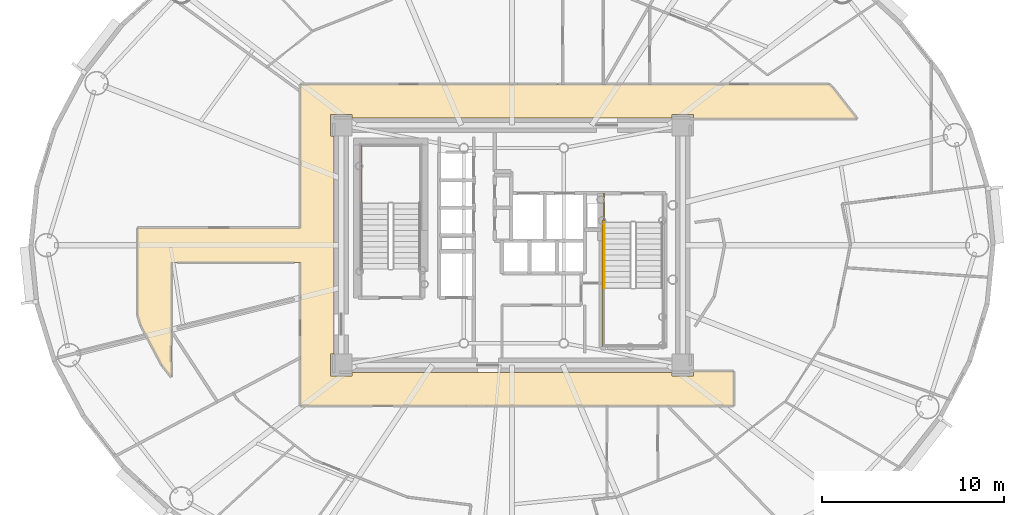
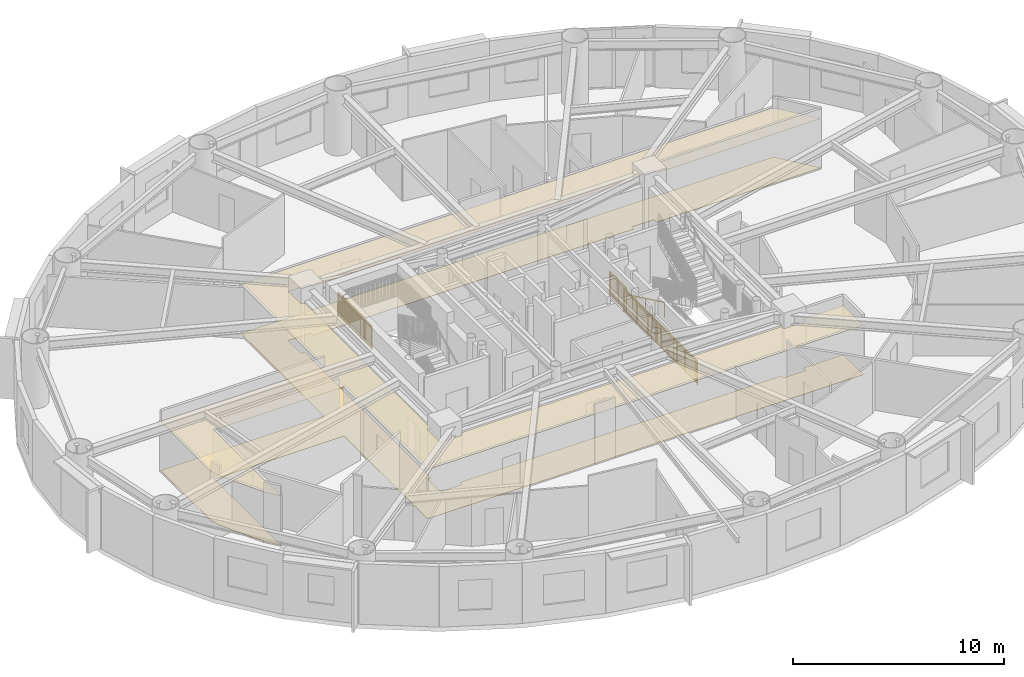
# One storey, part 14 of 17: 4 railings, 2 coverings.
"""IFC4 building model written with IfcOpenShell, lengths in metres."""

import ifcopenshell
import ifcopenshell.guid

model = None  # the IFC model being written
_history = None  # IfcOwnerHistory: only IFC2X3 demands one
_inside = {}  # id of a spatial element -> (the spatial element, [elements in it])
_under = {}  # id of a project, library or spatial element -> (it, [spatial elements below it])
_declared = {}  # id of a project -> (the project, [libraries it declares])
_typed = {}  # id of a type object -> (the type object, [elements of that type])
_made_of = {}  # id of a material, layer set ... -> (it, [elements and type objects made of it])


def new_model(schema):
    """Start an empty IFC model of exactly this schema.

    Asked for "IFC4X3", IfcOpenShell would pick the latest addendum, in which some entities
    have other attributes; the version numbers below select the first issue.
    IFC2X3 requires an IfcOwnerHistory on every rooted entity: one is made here for all.
    """
    global model, _history
    if schema == "IFC4X3":
        model = ifcopenshell.file(schema_version=(4, 3, 0, 0))
    else:
        model = ifcopenshell.file(schema=schema)
    _inside.clear()
    _under.clear()
    _declared.clear()
    _typed.clear()
    _made_of.clear()
    _history = None
    if model.schema == "IFC2X3":
        org = make("IfcOrganization", Name="unknown")
        user = make(
            "IfcPersonAndOrganization",
            ThePerson=make("IfcPerson", FamilyName="unknown"),
            TheOrganization=org,
        )
        app = make(
            "IfcApplication",
            ApplicationDeveloper=org,
            Version="unknown",
            ApplicationFullName="unknown",
            ApplicationIdentifier="unknown",
        )
        _history = make(
            "IfcOwnerHistory",
            OwningUser=user,
            OwningApplication=app,
            ChangeAction="ADDED",
            CreationDate=0,
        )
    return model


def make(cls, **values):
    """One entity of the class cls with the attributes given. An attribute that is None is left unset."""
    return model.create_entity(
        cls, **{name: value for name, value in values.items() if value is not None}
    )


def rooted(cls, **values):
    """An entity with a GlobalId (a new one), such as an element, a storey or a relation."""
    return make(cls, GlobalId=ifcopenshell.guid.new(), OwnerHistory=_history, **values)


def si_unit(unit_type, name, prefix=None):
    """IfcSIUnit, for example si_unit("LENGTHUNIT", "METRE", prefix="MILLI")."""
    return make("IfcSIUnit", UnitType=unit_type, Prefix=prefix, Name=name)


def assignment(units):
    """IfcUnitAssignment: the units of a project."""
    return None if units is None else make("IfcUnitAssignment", Units=units)


def point(xyz):
    """IfcCartesianPoint."""
    return None if xyz is None else make("IfcCartesianPoint", Coordinates=xyz)


def direction(xyz):
    """IfcDirection."""
    return None if xyz is None else make("IfcDirection", DirectionRatios=xyz)


def frame(location, z_axis=None, x_axis=None):
    """IfcAxis2Placement3D, a coordinate frame: its origin and axes. An axis left out is left unset."""
    return make(
        "IfcAxis2Placement3D",
        Location=point(location),
        Axis=direction(z_axis),
        RefDirection=direction(x_axis),
    )


def frame_2d(location, x_axis=None):
    """IfcAxis2Placement2D, a coordinate frame in the plane: its origin and x axis."""
    return make(
        "IfcAxis2Placement2D", Location=point(location), RefDirection=direction(x_axis)
    )


def origin():
    """The frame at (0, 0, 0) with its axes left unset."""
    return frame((0.0, 0.0, 0.0))


def origin_2d():
    """The frame at (0, 0) in the plane with its x axis left unset."""
    return frame_2d((0.0, 0.0))


def place(relative_to, where):
    """IfcLocalPlacement: puts the frame where relative to a parent placement (None: the world)."""
    return make(
        "IfcLocalPlacement", PlacementRelTo=relative_to, RelativePlacement=where
    )


def context(
    kind, dimensions, precision=None, world=None, true_north=None, identifier=None
):
    """IfcGeometricRepresentationContext, for example the 3D "Model" context."""
    return make(
        "IfcGeometricRepresentationContext",
        ContextIdentifier=identifier,
        ContextType=kind,
        CoordinateSpaceDimension=dimensions,
        Precision=precision,
        WorldCoordinateSystem=world,
        TrueNorth=true_north,
    )


def subcontext(parent, identifier, kind, view, scale=None):
    """IfcGeometricRepresentationSubContext, for example "Body" below "Model"."""
    return make(
        "IfcGeometricRepresentationSubContext",
        ContextIdentifier=identifier,
        ContextType=kind,
        ParentContext=parent,
        TargetScale=scale,
        TargetView=view,
    )


def project(units=None, contexts=None):
    """IfcProject with its units and contexts."""
    return rooted(
        "IfcProject",
        Name="project",
        RepresentationContexts=contexts,
        UnitsInContext=assignment(units),
    )


def spatial(cls, under=None, at=None, **own):
    """A site, building, storey or space (cls), placed at a placement, below another one or the project."""
    s = rooted(cls, ObjectPlacement=at, **own)
    if under is not None:
        _under.setdefault(under.id(), (under, []))[1].append(s)
    return s


def polyline(points):
    """IfcPolyline through the points."""
    return make("IfcPolyline", Points=[point(p) for p in points])


def profile(cls, at=None, kind="AREA", **sizes):
    """A parametric profile (cls). Its sizes go by their IFC names, for example OverallWidth=200.0."""
    return make(cls, ProfileType=kind, Position=at, **sizes)


def rectangle(**sizes):
    """IfcRectangleProfileDef."""
    return profile("IfcRectangleProfileDef", **sizes)


def outline(outer, holes=None, kind="AREA"):
    """IfcArbitraryClosedProfileDef: a profile drawn as a closed curve; with holes, ...WithVoids."""
    if holes is None:
        return make("IfcArbitraryClosedProfileDef", ProfileType=kind, OuterCurve=outer)
    return make(
        "IfcArbitraryProfileDefWithVoids",
        ProfileType=kind,
        OuterCurve=outer,
        InnerCurves=holes,
    )


def extrude(swept, where, along, depth):
    """IfcExtrudedAreaSolid: the profile swept, set in the frame where, extruded along a direction by depth."""
    return make(
        "IfcExtrudedAreaSolid",
        SweptArea=swept,
        Position=where,
        ExtrudedDirection=direction(along),
        Depth=depth,
    )


def shape(context_of_items, identifier, shape_type, items):
    """IfcShapeRepresentation: the items that make up one representation, for example the "Body"."""
    return make(
        "IfcShapeRepresentation",
        ContextOfItems=context_of_items,
        RepresentationIdentifier=identifier,
        RepresentationType=shape_type,
        Items=items,
    )


def source(mapping_origin, context_of_items, identifier, shape_type, items):
    """IfcRepresentationMap: a shape defined once, which mapped items show again and again."""
    return make(
        "IfcRepresentationMap",
        MappingOrigin=mapping_origin,
        MappedRepresentation=shape(context_of_items, identifier, shape_type, items),
    )


def transform(
    local_origin,
    x_axis=None,
    y_axis=None,
    z_axis=None,
    scale=None,
    scale2=None,
    scale3=None,
    uniform=True,
):
    """IfcCartesianTransformationOperator3D, or its non-uniform kind. x_axis, y_axis, z_axis: its Axis1, 2, 3."""
    if uniform:
        return make(
            "IfcCartesianTransformationOperator3D",
            Axis1=direction(x_axis),
            Axis2=direction(y_axis),
            LocalOrigin=point(local_origin),
            Scale=scale,
            Axis3=direction(z_axis),
        )
    return make(
        "IfcCartesianTransformationOperator3DnonUniform",
        Axis1=direction(x_axis),
        Axis2=direction(y_axis),
        LocalOrigin=point(local_origin),
        Scale=scale,
        Axis3=direction(z_axis),
        Scale2=scale2,
        Scale3=scale3,
    )


def mapped(mapping_source, mapping_target):
    """IfcMappedItem: shows the shape of a source again, moved by a transform."""
    return make(
        "IfcMappedItem", MappingSource=mapping_source, MappingTarget=mapping_target
    )


def material(Name=None, Category=None):
    """IfcMaterial."""
    return make("IfcMaterial", Name=Name, Category=Category)


def layer(
    of_material, thickness, ventilated=None, Name=None, Category=None, Priority=None
):
    """IfcMaterialLayer: one layer of a wall or slab, of a material (None: an air gap)."""
    return make(
        "IfcMaterialLayer",
        Material=of_material,
        LayerThickness=thickness,
        IsVentilated=ventilated,
        Name=Name,
        Category=Category,
        Priority=Priority,
    )


def layer_set(layers, Name=None):
    """IfcMaterialLayerSet."""
    return make("IfcMaterialLayerSet", MaterialLayers=layers, LayerSetName=Name)


def made_of(thing, what):
    """Note that an element or type object is made of a material, layer set ...; save() writes the relation."""
    if what is not None:
        _made_of.setdefault(what.id(), (what, []))[1].append(thing)
    return thing


def type_object(cls, material=None, **own):
    """A type object (cls), such as IfcWallType, which elements share."""
    return made_of(rooted(cls, **own), material)


def element(
    cls,
    number,
    at=None,
    inside=None,
    cuts=None,
    type_object=None,
    material=None,
    context=None,
    identifier="Body",
    shape_type=None,
    held_by="IfcProductDefinitionShape",
    body=None,
    shapes=None,
    **own,
):
    """One element of the class cls, such as IfcWall. Its Tag is "e" and its number.

    at: its placement. inside: the storey or other place that contains it. cuts: it is an
    opening in that element (IfcRelVoidsElement). A single representation is given by context,
    identifier, shape_type and body (its items); several are given by shapes. held_by: the class
    of the entity that holds the representations. save() writes the other relations.
    """
    e = rooted(cls, Tag="e%d" % number, ObjectPlacement=at, **own)
    if body is not None:
        shapes = [shape(context, identifier, shape_type, body)]
    if shapes is not None:
        e.Representation = make(held_by, Representations=shapes)
    if inside is not None:
        _inside.setdefault(inside.id(), (inside, []))[1].append(e)
    if cuts is not None:
        rooted(
            "IfcRelVoidsElement", RelatingBuildingElement=cuts, RelatedOpeningElement=e
        )
    if type_object is not None:
        _typed.setdefault(type_object.id(), (type_object, []))[1].append(e)
    return made_of(e, material)


def aggregate(whole, parts):
    """IfcRelAggregates: a whole, such as a stair, and the parts it consists of."""
    return rooted("IfcRelAggregates", RelatingObject=whole, RelatedObjects=parts)


def save(model, path):
    """Write the relations noted so far, then the file.

    IfcRelAggregates (storeys below a building ...), IfcRelContainedInSpatialStructure (elements
    in a storey), IfcRelDefinesByType, IfcRelAssociatesMaterial and IfcRelDeclares: one each for
    every whole, place, type object, material and project.
    """
    for whole, parts in _under.values():
        aggregate(whole, parts)
    for where, things in _inside.values():
        rooted(
            "IfcRelContainedInSpatialStructure",
            RelatedElements=things,
            RelatingStructure=where,
        )
    for kind, things in _typed.values():
        rooted("IfcRelDefinesByType", RelatedObjects=things, RelatingType=kind)
    for what, things in _made_of.values():
        rooted("IfcRelAssociatesMaterial", RelatedObjects=things, RelatingMaterial=what)
    for by, libraries in _declared.values():
        rooted("IfcRelDeclares", RelatingContext=by, RelatedDefinitions=libraries)
    model.write(path)


model = new_model("IFC4")

# Units and contexts
model_context = context("Model", 3, precision=1e-05, world=origin(), true_north=direction((0.0, 1.0)))
body_context = subcontext(model_context, "Body", "Model", "MODEL_VIEW")
ifc_project = project(units=[si_unit("LENGTHUNIT", "METRE"), si_unit("AREAUNIT", "SQUARE_METRE"), si_unit("VOLUMEUNIT", "CUBIC_METRE"), si_unit("PLANEANGLEUNIT", "RADIAN"), si_unit("MASSUNIT", "GRAM", prefix="KILO")], contexts=[model_context])

# Site, building, storey
site_placement = place(None, origin())
site = spatial("IfcSite", under=ifc_project, at=site_placement, CompositionType="ELEMENT")
building_placement = place(site_placement, origin())
building = spatial("IfcBuilding", under=site, at=building_placement, Name="Linh Dai School and Residence Tower", CompositionType="ELEMENT")
storey_placement = place(building_placement, frame((0.0, 0.0, 197.39990234375)))
storey = spatial("IfcBuildingStorey", under=building, at=storey_placement, Name="L48", CompositionType="ELEMENT", Elevation=197.39990234375)

# Coverings
ifc_material_1 = material(Name="Mineral Fibre Acoustic Suspended Ceiling", Category="masonry")
ifc_layer_1 = layer(ifc_material_1, 0.02001953125)
ifc_layer_set_1 = layer_set([ifc_layer_1], Name="Mineral Fibre Acoustic Suspended Ceiling")
covering_type_1 = type_object("IfcCoveringType", Name="COV-CEIL-AC-20", PredefinedType="CEILING", material=ifc_layer_set_1)
covering_1_placement = place(storey_placement, frame((0.0, 0.0, 2.85009765625)))
element("IfcCovering", 1, at=covering_1_placement, inside=storey, type_object=covering_type_1, Name="L48 Residential Floor Corridor Suspended Ceiling", PredefinedType="CEILING", context=body_context, shape_type="SweptSolid", body=[
    extrude(outline(polyline([(17.25, 19.734375), (16.720458984375, 20.410888671875), (15.57421875, 22.577880859375), (15.39990234375, 23.14599609375), (15.39990234375, 27.949951171875), (24.35009765625, 27.949951171875), (24.35009765625, 35.85009765625), (53.453857421875, 35.85009765625), (53.6533203125, 35.6669921875), (54.9970703125, 33.949951171875), (46.0, 33.949951171875), (46.0, 34.199951171875), (44.800048828125, 34.199951171875), (44.800048828125, 34.0), (27.199951171875, 34.0), (27.199951171875, 34.199951171875), (26.0, 34.199951171875), (26.0, 33.0), (26.199951171875, 33.0), (26.199951171875, 21.0), (26.0, 21.0), (26.0, 19.800048828125), (27.199951171875, 19.800048828125), (27.199951171875, 20.0), (44.800048828125, 20.0), (44.800048828125, 19.800048828125), (46.0, 19.800048828125), (46.0, 20.050048828125), (48.199951171875, 20.050048828125), (48.199951171875, 18.14990234375), (24.35009765625, 18.14990234375), (24.35009765625, 26.050048828125), (17.25, 26.050048828125), (17.25, 19.734375)])), origin(), (0.0, 0.0, 1.0), 0.02001953125),
])
ifc_material_2 = material(Name="Polished Terrazzo Floor Finish", Category="masonry")
ifc_layer_2 = layer(ifc_material_2, 0.02490234375)
ifc_layer_set_2 = layer_set([ifc_layer_2], Name="Polished Terrazzo Floor Finish")
covering_type_2 = type_object("IfcCoveringType", Name="COV-FLR-TRZ-25", PredefinedType="FLOORING", material=ifc_layer_set_2)
covering_2_placement = place(storey_placement, origin())
element("IfcCovering", 2, at=covering_2_placement, inside=storey, type_object=covering_type_2, Name="L48 Residential Floor Corridor Floor Finish", PredefinedType="FLOORING", context=body_context, shape_type="SweptSolid", body=[
    extrude(outline(polyline([(17.25, 19.734375), (16.720458984375, 20.410888671875), (15.57421875, 22.577880859375), (15.39990234375, 23.14599609375), (15.39990234375, 27.949951171875), (24.35009765625, 27.949951171875), (24.35009765625, 35.85009765625), (53.453857421875, 35.85009765625), (53.6533203125, 35.6669921875), (54.9970703125, 33.949951171875), (46.0, 33.949951171875), (46.0, 34.199951171875), (44.800048828125, 34.199951171875), (44.800048828125, 34.0), (27.199951171875, 34.0), (27.199951171875, 34.199951171875), (26.0, 34.199951171875), (26.0, 33.0), (26.199951171875, 33.0), (26.199951171875, 21.0), (26.0, 21.0), (26.0, 19.800048828125), (27.199951171875, 19.800048828125), (27.199951171875, 20.0), (44.800048828125, 20.0), (44.800048828125, 19.800048828125), (46.0, 19.800048828125), (46.0, 20.050048828125), (48.199951171875, 20.050048828125), (48.199951171875, 18.14990234375), (24.35009765625, 18.14990234375), (24.35009765625, 26.050048828125), (17.25, 26.050048828125), (17.25, 19.734375)])), origin(), (0.0, 0.0, 1.0), 0.02001953125),
])

# Railings
ifc_material_3 = material(Name="Structural Steel S355JR", Category="steel")
railing_type_1 = type_object("IfcRailingType", Name="RL-ST-GUARD-1400", PredefinedType="GUARDRAIL", material=ifc_material_3)
shared_shape_1 = source(origin(), body_context, "Body", "SweptSolid", [
    extrude(rectangle(XDim=0.048095703125, YDim=0.048095703125, at=origin_2d()), frame((0.0, 0.0, 1.3759765625), z_axis=(0.0, 1.0, 0.0), x_axis=(-1.0, 0.0, 0.0)), (0.0, 0.0, 1.0), 3.199951171875),
    extrude(rectangle(XDim=0.048095703125, YDim=0.048095703125, at=origin_2d()), frame((0.0, 0.0, 0.10009765625), z_axis=(0.0, 1.0, 0.0), x_axis=(-1.0, 0.0, 0.0)), (0.0, 0.0, 1.0), 3.199951171875),
    extrude(rectangle(XDim=0.030029296875, YDim=0.030029296875, at=origin_2d()), frame((0.0, 0.0, 1.239990234375), z_axis=(0.0, 1.0, 0.0), x_axis=(-1.0, 0.0, 0.0)), (0.0, 0.0, 1.0), 3.199951171875),
    extrude(rectangle(XDim=0.02001953125, YDim=0.02001953125, at=origin_2d()), frame((0.0, 0.096923828125, 0.10009765625)), (0.0, 0.0, 1.0), 1.251708984375),
    extrude(rectangle(XDim=0.02001953125, YDim=0.02001953125, at=origin_2d()), frame((0.0, 0.19384765625, 0.10009765625)), (0.0, 0.0, 1.0), 1.251708984375),
    extrude(rectangle(XDim=0.02001953125, YDim=0.02001953125, at=origin_2d()), frame((0.0, 0.291015625, 0.10009765625)), (0.0, 0.0, 1.0), 1.251708984375),
    extrude(rectangle(XDim=0.02001953125, YDim=0.02001953125, at=origin_2d()), frame((0.0, 0.387939453125, 0.10009765625)), (0.0, 0.0, 1.0), 1.251708984375),
    extrude(rectangle(XDim=0.02001953125, YDim=0.02001953125, at=origin_2d()), frame((0.0, 0.48486328125, 0.10009765625)), (0.0, 0.0, 1.0), 1.251708984375),
    extrude(rectangle(XDim=0.02001953125, YDim=0.02001953125, at=origin_2d()), frame((0.0, 0.581787109375, 0.10009765625)), (0.0, 0.0, 1.0), 1.251708984375),
    extrude(rectangle(XDim=0.02001953125, YDim=0.02001953125, at=origin_2d()), frame((0.0, 0.6787109375, 0.10009765625)), (0.0, 0.0, 1.0), 1.251708984375),
    extrude(rectangle(XDim=0.02001953125, YDim=0.02001953125, at=origin_2d()), frame((0.0, 0.775634765625, 0.10009765625)), (0.0, 0.0, 1.0), 1.251708984375),
    extrude(rectangle(XDim=0.02001953125, YDim=0.02001953125, at=origin_2d()), frame((0.0, 0.872802734375, 0.10009765625)), (0.0, 0.0, 1.0), 1.251708984375),
    extrude(rectangle(XDim=0.02001953125, YDim=0.02001953125, at=origin_2d()), frame((0.0, 0.9697265625, 0.10009765625)), (0.0, 0.0, 1.0), 1.251708984375),
    extrude(rectangle(XDim=0.02001953125, YDim=0.02001953125, at=origin_2d()), frame((0.0, 1.16357421875, 0.10009765625)), (0.0, 0.0, 1.0), 1.251708984375),
    extrude(rectangle(XDim=0.02001953125, YDim=0.02001953125, at=origin_2d()), frame((0.0, 1.260498046875, 0.10009765625)), (0.0, 0.0, 1.0), 1.251708984375),
    extrude(rectangle(XDim=0.02001953125, YDim=0.02001953125, at=origin_2d()), frame((0.0, 1.357666015625, 0.10009765625)), (0.0, 0.0, 1.0), 1.251708984375),
    extrude(rectangle(XDim=0.02001953125, YDim=0.02001953125, at=origin_2d()), frame((0.0, 1.45458984375, 0.10009765625)), (0.0, 0.0, 1.0), 1.251708984375),
    extrude(rectangle(XDim=0.02001953125, YDim=0.02001953125, at=origin_2d()), frame((0.0, 1.551513671875, 0.10009765625)), (0.0, 0.0, 1.0), 1.251708984375),
    extrude(rectangle(XDim=0.02001953125, YDim=0.02001953125, at=origin_2d()), frame((0.0, 1.6484375, 0.10009765625)), (0.0, 0.0, 1.0), 1.251708984375),
    extrude(rectangle(XDim=0.02001953125, YDim=0.02001953125, at=origin_2d()), frame((0.0, 1.745361328125, 0.10009765625)), (0.0, 0.0, 1.0), 1.251708984375),
    extrude(rectangle(XDim=0.02001953125, YDim=0.02001953125, at=origin_2d()), frame((0.0, 1.84228515625, 0.10009765625)), (0.0, 0.0, 1.0), 1.251708984375),
    extrude(rectangle(XDim=0.02001953125, YDim=0.02001953125, at=origin_2d()), frame((0.0, 1.939453125, 0.10009765625)), (0.0, 0.0, 1.0), 1.251708984375),
    extrude(rectangle(XDim=0.02001953125, YDim=0.02001953125, at=origin_2d()), frame((0.0, 2.036376953125, 0.10009765625)), (0.0, 0.0, 1.0), 1.251708984375),
    extrude(rectangle(XDim=0.02001953125, YDim=0.02001953125, at=origin_2d()), frame((0.0, 2.230224609375, 0.10009765625)), (0.0, 0.0, 1.0), 1.251708984375),
    extrude(rectangle(XDim=0.02001953125, YDim=0.02001953125, at=origin_2d()), frame((0.0, 2.3271484375, 0.10009765625)), (0.0, 0.0, 1.0), 1.251708984375),
    extrude(rectangle(XDim=0.02001953125, YDim=0.02001953125, at=origin_2d()), frame((0.0, 2.42431640625, 0.10009765625)), (0.0, 0.0, 1.0), 1.251708984375),
    extrude(rectangle(XDim=0.02001953125, YDim=0.02001953125, at=origin_2d()), frame((0.0, 2.521240234375, 0.10009765625)), (0.0, 0.0, 1.0), 1.251708984375),
    extrude(rectangle(XDim=0.02001953125, YDim=0.02001953125, at=origin_2d()), frame((0.0, 2.6181640625, 0.10009765625)), (0.0, 0.0, 1.0), 1.251708984375),
    extrude(rectangle(XDim=0.02001953125, YDim=0.02001953125, at=origin_2d()), frame((0.0, 2.715087890625, 0.10009765625)), (0.0, 0.0, 1.0), 1.251708984375),
    extrude(rectangle(XDim=0.02001953125, YDim=0.02001953125, at=origin_2d()), frame((0.0, 2.81201171875, 0.10009765625)), (0.0, 0.0, 1.0), 1.251708984375),
    extrude(rectangle(XDim=0.02001953125, YDim=0.02001953125, at=origin_2d()), frame((0.0, 2.908935546875, 0.10009765625)), (0.0, 0.0, 1.0), 1.251708984375),
    extrude(rectangle(XDim=0.02001953125, YDim=0.02001953125, at=origin_2d()), frame((0.0, 3.006103515625, 0.10009765625)), (0.0, 0.0, 1.0), 1.251708984375),
    extrude(rectangle(XDim=0.02001953125, YDim=0.02001953125, at=origin_2d()), frame((0.0, 3.10302734375, 0.10009765625)), (0.0, 0.0, 1.0), 1.251708984375),
    extrude(rectangle(XDim=0.0419921875, YDim=0.0419921875, at=origin_2d()), origin(), (0.0, 0.0, 1.0), 1.3759765625),
    extrude(rectangle(XDim=0.0419921875, YDim=0.0419921875, at=origin_2d()), frame((0.0, 1.066650390625, 0.0)), (0.0, 0.0, 1.0), 1.3759765625),
    extrude(rectangle(XDim=0.0419921875, YDim=0.0419921875, at=origin_2d()), frame((0.0, 2.13330078125, 0.0)), (0.0, 0.0, 1.0), 1.3759765625),
    extrude(rectangle(XDim=0.0419921875, YDim=0.0419921875, at=origin_2d()), frame((0.0, 3.199951171875, 0.0)), (0.0, 0.0, 1.0), 1.3759765625),
])
railing_1_placement = place(storey_placement, frame((27.72998046875, 29.300048828125, 1.875)))
element("IfcRailing", 3, at=railing_1_placement, inside=storey, type_object=railing_type_1, Name="L48 ST1 stair guard 4", PredefinedType="GUARDRAIL", context=body_context, shape_type="MappedRepresentation", body=[
    mapped(shared_shape_1, transform((0.0, 0.0, 0.0), x_axis=(1.0, 0.0, 0.0), y_axis=(0.0, 1.0, 0.0), z_axis=(0.0, 0.0, 1.0), scale=1.0)),
])
ifc_material_4 = material(Name="Brushed Stainless Steel Handrail", Category="steel")
railing_type_2 = type_object("IfcRailingType", Name="RL-ST-HANDRAIL-900", PredefinedType="HANDRAIL", material=ifc_material_4)
shared_shape_2 = source(origin(), body_context, "Body", "SweptSolid", [
    extrude(rectangle(XDim=0.048095703125, YDim=0.048095703125, at=origin_2d()), frame((0.0, 0.0, 0.8759765625), z_axis=(0.0, -0.901262522062, 0.433273431364), x_axis=(1.0, 0.0, 0.0)), (0.0, 0.0, 1.0), 3.994384765625),
    extrude(rectangle(XDim=0.0419921875, YDim=0.0419921875, at=origin_2d()), origin(), (0.0, 0.0, 1.0), 0.8759765625),
    extrude(rectangle(XDim=0.0419921875, YDim=0.0419921875, at=origin_2d()), frame((0.0, -0.89990234375, 0.4326171875)), (0.0, 0.0, 1.0), 0.8759765625),
    extrude(rectangle(XDim=0.0419921875, YDim=0.0419921875, at=origin_2d()), frame((0.0, -1.800048828125, 0.865234375)), (0.0, 0.0, 1.0), 0.8759765625),
    extrude(rectangle(XDim=0.0419921875, YDim=0.0419921875, at=origin_2d()), frame((0.0, -2.7001953125, 1.298095703125)), (0.0, 0.0, 1.0), 0.8759765625),
    extrude(rectangle(XDim=0.0419921875, YDim=0.0419921875, at=origin_2d()), frame((0.0, -3.60009765625, 1.730712890625)), (0.0, 0.0, 1.0), 0.8759765625),
])
railing_2_placement = place(storey_placement, frame((41.070068359375, 28.25, 0.144287109375)))
element("IfcRailing", 4, at=railing_2_placement, inside=storey, type_object=railing_type_2, Name="L48 ST2 stair handrail 1", PredefinedType="HANDRAIL", context=body_context, shape_type="MappedRepresentation", body=[
    mapped(shared_shape_2, transform((0.0, 0.0, 0.0), x_axis=(1.0, 0.0, 0.0), y_axis=(0.0, 1.0, 0.0), z_axis=(0.0, 0.0, 1.0), scale=1.0)),
])
shared_shape_3 = source(origin(), body_context, "Body", "SweptSolid", [
    extrude(rectangle(XDim=0.048095703125, YDim=0.048095703125, at=origin_2d()), frame((0.0, 0.0, 1.3759765625), z_axis=(0.0, -1.0, 0.0), x_axis=(1.0, 0.0, 0.0)), (0.0, 0.0, 1.0), 1.60009765625),
    extrude(rectangle(XDim=0.048095703125, YDim=0.048095703125, at=origin_2d()), frame((0.0, 0.0, 0.10009765625), z_axis=(0.0, -1.0, 0.0), x_axis=(1.0, 0.0, 0.0)), (0.0, 0.0, 1.0), 1.60009765625),
    extrude(rectangle(XDim=0.030029296875, YDim=0.030029296875, at=origin_2d()), frame((0.0, 0.0, 1.239990234375), z_axis=(0.0, -1.0, 0.0), x_axis=(1.0, 0.0, 0.0)), (0.0, 0.0, 1.0), 1.60009765625),
    extrude(rectangle(XDim=0.02001953125, YDim=0.02001953125, at=origin_2d()), frame((0.0, -0.09423828125, 0.10009765625)), (0.0, 0.0, 1.0), 1.251708984375),
    extrude(rectangle(XDim=0.02001953125, YDim=0.02001953125, at=origin_2d()), frame((0.0, -0.188232421875, 0.10009765625)), (0.0, 0.0, 1.0), 1.251708984375),
    extrude(rectangle(XDim=0.02001953125, YDim=0.02001953125, at=origin_2d()), frame((0.0, -0.282470703125, 0.10009765625)), (0.0, 0.0, 1.0), 1.251708984375),
    extrude(rectangle(XDim=0.02001953125, YDim=0.02001953125, at=origin_2d()), frame((0.0, -0.37646484375, 0.10009765625)), (0.0, 0.0, 1.0), 1.251708984375),
    extrude(rectangle(XDim=0.02001953125, YDim=0.02001953125, at=origin_2d()), frame((0.0, -0.470703125, 0.10009765625)), (0.0, 0.0, 1.0), 1.251708984375),
    extrude(rectangle(XDim=0.02001953125, YDim=0.02001953125, at=origin_2d()), frame((0.0, -0.564697265625, 0.10009765625)), (0.0, 0.0, 1.0), 1.251708984375),
    extrude(rectangle(XDim=0.02001953125, YDim=0.02001953125, at=origin_2d()), frame((0.0, -0.658935546875, 0.10009765625)), (0.0, 0.0, 1.0), 1.251708984375),
    extrude(rectangle(XDim=0.02001953125, YDim=0.02001953125, at=origin_2d()), frame((0.0, -0.7529296875, 0.10009765625)), (0.0, 0.0, 1.0), 1.251708984375),
    extrude(rectangle(XDim=0.02001953125, YDim=0.02001953125, at=origin_2d()), frame((0.0, -0.84716796875, 0.10009765625)), (0.0, 0.0, 1.0), 1.251708984375),
    extrude(rectangle(XDim=0.02001953125, YDim=0.02001953125, at=origin_2d()), frame((0.0, -0.941162109375, 0.10009765625)), (0.0, 0.0, 1.0), 1.251708984375),
    extrude(rectangle(XDim=0.02001953125, YDim=0.02001953125, at=origin_2d()), frame((0.0, -1.035400390625, 0.10009765625)), (0.0, 0.0, 1.0), 1.251708984375),
    extrude(rectangle(XDim=0.02001953125, YDim=0.02001953125, at=origin_2d()), frame((0.0, -1.12939453125, 0.10009765625)), (0.0, 0.0, 1.0), 1.251708984375),
    extrude(rectangle(XDim=0.02001953125, YDim=0.02001953125, at=origin_2d()), frame((0.0, -1.2236328125, 0.10009765625)), (0.0, 0.0, 1.0), 1.251708984375),
    extrude(rectangle(XDim=0.02001953125, YDim=0.02001953125, at=origin_2d()), frame((0.0, -1.317626953125, 0.10009765625)), (0.0, 0.0, 1.0), 1.251708984375),
    extrude(rectangle(XDim=0.02001953125, YDim=0.02001953125, at=origin_2d()), frame((0.0, -1.411865234375, 0.10009765625)), (0.0, 0.0, 1.0), 1.251708984375),
    extrude(rectangle(XDim=0.02001953125, YDim=0.02001953125, at=origin_2d()), frame((0.0, -1.505859375, 0.10009765625)), (0.0, 0.0, 1.0), 1.251708984375),
    extrude(rectangle(XDim=0.0419921875, YDim=0.0419921875, at=origin_2d()), origin(), (0.0, 0.0, 1.0), 1.3759765625),
    extrude(rectangle(XDim=0.0419921875, YDim=0.0419921875, at=origin_2d()), frame((0.0, -0.800048828125, 0.0)), (0.0, 0.0, 1.0), 1.3759765625),
    extrude(rectangle(XDim=0.0419921875, YDim=0.0419921875, at=origin_2d()), frame((0.0, -1.60009765625, 0.0)), (0.0, 0.0, 1.0), 1.3759765625),
])
railing_3_placement = place(storey_placement, frame((41.070068359375, 29.85009765625, 0.0)))
element("IfcRailing", 5, at=railing_3_placement, inside=storey, type_object=railing_type_1, Name="L48 ST2 stair guard 8", PredefinedType="GUARDRAIL", context=body_context, shape_type="MappedRepresentation", body=[
    mapped(shared_shape_3, transform((0.0, 0.0, 0.0), x_axis=(1.0, 0.0, 0.0), y_axis=(0.0, 1.0, 0.0), z_axis=(0.0, 0.0, 1.0), scale=1.0)),
])
shared_shape_4 = source(origin(), body_context, "Body", "SweptSolid", [
    extrude(rectangle(XDim=0.048095703125, YDim=0.048095703125, at=origin_2d()), frame((0.0, 0.0, 1.3759765625), z_axis=(0.0, -1.0, 0.0), x_axis=(1.0, 0.0, 0.0)), (0.0, 0.0, 1.0), 7.0),
    extrude(rectangle(XDim=0.048095703125, YDim=0.048095703125, at=origin_2d()), frame((0.0, 0.0, 0.10009765625), z_axis=(0.0, -1.0, 0.0), x_axis=(1.0, 0.0, 0.0)), (0.0, 0.0, 1.0), 7.0),
    extrude(rectangle(XDim=0.030029296875, YDim=0.030029296875, at=origin_2d()), frame((0.0, 0.0, 1.239990234375), z_axis=(0.0, -1.0, 0.0), x_axis=(1.0, 0.0, 0.0)), (0.0, 0.0, 1.0), 7.0),
    extrude(rectangle(XDim=0.02001953125, YDim=0.02001953125, at=origin_2d()), frame((0.0, -0.09716796875, 0.10009765625)), (0.0, 0.0, 1.0), 1.251708984375),
    extrude(rectangle(XDim=0.02001953125, YDim=0.02001953125, at=origin_2d()), frame((0.0, -0.1943359375, 0.10009765625)), (0.0, 0.0, 1.0), 1.251708984375),
    extrude(rectangle(XDim=0.02001953125, YDim=0.02001953125, at=origin_2d()), frame((0.0, -0.291748046875, 0.10009765625)), (0.0, 0.0, 1.0), 1.251708984375),
    extrude(rectangle(XDim=0.02001953125, YDim=0.02001953125, at=origin_2d()), frame((0.0, -0.388916015625, 0.10009765625)), (0.0, 0.0, 1.0), 1.251708984375),
    extrude(rectangle(XDim=0.02001953125, YDim=0.02001953125, at=origin_2d()), frame((0.0, -0.486083984375, 0.10009765625)), (0.0, 0.0, 1.0), 1.251708984375),
    extrude(rectangle(XDim=0.02001953125, YDim=0.02001953125, at=origin_2d()), frame((0.0, -0.583251953125, 0.10009765625)), (0.0, 0.0, 1.0), 1.251708984375),
    extrude(rectangle(XDim=0.02001953125, YDim=0.02001953125, at=origin_2d()), frame((0.0, -0.6806640625, 0.10009765625)), (0.0, 0.0, 1.0), 1.251708984375),
    extrude(rectangle(XDim=0.02001953125, YDim=0.02001953125, at=origin_2d()), frame((0.0, -0.77783203125, 0.10009765625)), (0.0, 0.0, 1.0), 1.251708984375),
    extrude(rectangle(XDim=0.02001953125, YDim=0.02001953125, at=origin_2d()), frame((0.0, -0.875, 0.10009765625)), (0.0, 0.0, 1.0), 1.251708984375),
    extrude(rectangle(XDim=0.02001953125, YDim=0.02001953125, at=origin_2d()), frame((0.0, -0.97216796875, 0.10009765625)), (0.0, 0.0, 1.0), 1.251708984375),
    extrude(rectangle(XDim=0.02001953125, YDim=0.02001953125, at=origin_2d()), frame((0.0, -1.0693359375, 0.10009765625)), (0.0, 0.0, 1.0), 1.251708984375),
    extrude(rectangle(XDim=0.02001953125, YDim=0.02001953125, at=origin_2d()), frame((0.0, -1.263916015625, 0.10009765625)), (0.0, 0.0, 1.0), 1.251708984375),
    extrude(rectangle(XDim=0.02001953125, YDim=0.02001953125, at=origin_2d()), frame((0.0, -1.361083984375, 0.10009765625)), (0.0, 0.0, 1.0), 1.251708984375),
    extrude(rectangle(XDim=0.02001953125, YDim=0.02001953125, at=origin_2d()), frame((0.0, -1.458251953125, 0.10009765625)), (0.0, 0.0, 1.0), 1.251708984375),
    extrude(rectangle(XDim=0.02001953125, YDim=0.02001953125, at=origin_2d()), frame((0.0, -1.5556640625, 0.10009765625)), (0.0, 0.0, 1.0), 1.251708984375),
    extrude(rectangle(XDim=0.02001953125, YDim=0.02001953125, at=origin_2d()), frame((0.0, -1.65283203125, 0.10009765625)), (0.0, 0.0, 1.0), 1.251708984375),
    extrude(rectangle(XDim=0.02001953125, YDim=0.02001953125, at=origin_2d()), frame((0.0, -1.75, 0.10009765625)), (0.0, 0.0, 1.0), 1.251708984375),
    extrude(rectangle(XDim=0.02001953125, YDim=0.02001953125, at=origin_2d()), frame((0.0, -1.84716796875, 0.10009765625)), (0.0, 0.0, 1.0), 1.251708984375),
    extrude(rectangle(XDim=0.02001953125, YDim=0.02001953125, at=origin_2d()), frame((0.0, -1.9443359375, 0.10009765625)), (0.0, 0.0, 1.0), 1.251708984375),
    extrude(rectangle(XDim=0.02001953125, YDim=0.02001953125, at=origin_2d()), frame((0.0, -2.041748046875, 0.10009765625)), (0.0, 0.0, 1.0), 1.251708984375),
    extrude(rectangle(XDim=0.02001953125, YDim=0.02001953125, at=origin_2d()), frame((0.0, -2.138916015625, 0.10009765625)), (0.0, 0.0, 1.0), 1.251708984375),
    extrude(rectangle(XDim=0.02001953125, YDim=0.02001953125, at=origin_2d()), frame((0.0, -2.236083984375, 0.10009765625)), (0.0, 0.0, 1.0), 1.251708984375),
    extrude(rectangle(XDim=0.02001953125, YDim=0.02001953125, at=origin_2d()), frame((0.0, -2.4306640625, 0.10009765625)), (0.0, 0.0, 1.0), 1.251708984375),
    extrude(rectangle(XDim=0.02001953125, YDim=0.02001953125, at=origin_2d()), frame((0.0, -2.52783203125, 0.10009765625)), (0.0, 0.0, 1.0), 1.251708984375),
    extrude(rectangle(XDim=0.02001953125, YDim=0.02001953125, at=origin_2d()), frame((0.0, -2.625, 0.10009765625)), (0.0, 0.0, 1.0), 1.251708984375),
    extrude(rectangle(XDim=0.02001953125, YDim=0.02001953125, at=origin_2d()), frame((0.0, -2.72216796875, 0.10009765625)), (0.0, 0.0, 1.0), 1.251708984375),
    extrude(rectangle(XDim=0.02001953125, YDim=0.02001953125, at=origin_2d()), frame((0.0, -2.8193359375, 0.10009765625)), (0.0, 0.0, 1.0), 1.251708984375),
    extrude(rectangle(XDim=0.02001953125, YDim=0.02001953125, at=origin_2d()), frame((0.0, -2.916748046875, 0.10009765625)), (0.0, 0.0, 1.0), 1.251708984375),
    extrude(rectangle(XDim=0.02001953125, YDim=0.02001953125, at=origin_2d()), frame((0.0, -3.013916015625, 0.10009765625)), (0.0, 0.0, 1.0), 1.251708984375),
    extrude(rectangle(XDim=0.02001953125, YDim=0.02001953125, at=origin_2d()), frame((0.0, -3.111083984375, 0.10009765625)), (0.0, 0.0, 1.0), 1.251708984375),
    extrude(rectangle(XDim=0.02001953125, YDim=0.02001953125, at=origin_2d()), frame((0.0, -3.208251953125, 0.10009765625)), (0.0, 0.0, 1.0), 1.251708984375),
    extrude(rectangle(XDim=0.02001953125, YDim=0.02001953125, at=origin_2d()), frame((0.0, -3.3056640625, 0.10009765625)), (0.0, 0.0, 1.0), 1.251708984375),
    extrude(rectangle(XDim=0.02001953125, YDim=0.02001953125, at=origin_2d()), frame((0.0, -3.40283203125, 0.10009765625)), (0.0, 0.0, 1.0), 1.251708984375),
    extrude(rectangle(XDim=0.02001953125, YDim=0.02001953125, at=origin_2d()), frame((0.0, -3.59716796875, 0.10009765625)), (0.0, 0.0, 1.0), 1.251708984375),
    extrude(rectangle(XDim=0.02001953125, YDim=0.02001953125, at=origin_2d()), frame((0.0, -3.6943359375, 0.10009765625)), (0.0, 0.0, 1.0), 1.251708984375),
    extrude(rectangle(XDim=0.02001953125, YDim=0.02001953125, at=origin_2d()), frame((0.0, -3.791748046875, 0.10009765625)), (0.0, 0.0, 1.0), 1.251708984375),
    extrude(rectangle(XDim=0.02001953125, YDim=0.02001953125, at=origin_2d()), frame((0.0, -3.888916015625, 0.10009765625)), (0.0, 0.0, 1.0), 1.251708984375),
    extrude(rectangle(XDim=0.02001953125, YDim=0.02001953125, at=origin_2d()), frame((0.0, -3.986083984375, 0.10009765625)), (0.0, 0.0, 1.0), 1.251708984375),
    extrude(rectangle(XDim=0.02001953125, YDim=0.02001953125, at=origin_2d()), frame((0.0, -4.083251953125, 0.10009765625)), (0.0, 0.0, 1.0), 1.251708984375),
    extrude(rectangle(XDim=0.02001953125, YDim=0.02001953125, at=origin_2d()), frame((0.0, -4.1806640625, 0.10009765625)), (0.0, 0.0, 1.0), 1.251708984375),
    extrude(rectangle(XDim=0.02001953125, YDim=0.02001953125, at=origin_2d()), frame((0.0, -4.27783203125, 0.10009765625)), (0.0, 0.0, 1.0), 1.251708984375),
    extrude(rectangle(XDim=0.02001953125, YDim=0.02001953125, at=origin_2d()), frame((0.0, -4.375, 0.10009765625)), (0.0, 0.0, 1.0), 1.251708984375),
    extrude(rectangle(XDim=0.02001953125, YDim=0.02001953125, at=origin_2d()), frame((0.0, -4.47216796875, 0.10009765625)), (0.0, 0.0, 1.0), 1.251708984375),
    extrude(rectangle(XDim=0.02001953125, YDim=0.02001953125, at=origin_2d()), frame((0.0, -4.5693359375, 0.10009765625)), (0.0, 0.0, 1.0), 1.251708984375),
    extrude(rectangle(XDim=0.02001953125, YDim=0.02001953125, at=origin_2d()), frame((0.0, -4.763916015625, 0.10009765625)), (0.0, 0.0, 1.0), 1.251708984375),
    extrude(rectangle(XDim=0.02001953125, YDim=0.02001953125, at=origin_2d()), frame((0.0, -4.861083984375, 0.10009765625)), (0.0, 0.0, 1.0), 1.251708984375),
    extrude(rectangle(XDim=0.02001953125, YDim=0.02001953125, at=origin_2d()), frame((0.0, -4.958251953125, 0.10009765625)), (0.0, 0.0, 1.0), 1.251708984375),
    extrude(rectangle(XDim=0.02001953125, YDim=0.02001953125, at=origin_2d()), frame((0.0, -5.0556640625, 0.10009765625)), (0.0, 0.0, 1.0), 1.251708984375),
    extrude(rectangle(XDim=0.02001953125, YDim=0.02001953125, at=origin_2d()), frame((0.0, -5.15283203125, 0.10009765625)), (0.0, 0.0, 1.0), 1.251708984375),
    extrude(rectangle(XDim=0.02001953125, YDim=0.02001953125, at=origin_2d()), frame((0.0, -5.25, 0.10009765625)), (0.0, 0.0, 1.0), 1.251708984375),
    extrude(rectangle(XDim=0.02001953125, YDim=0.02001953125, at=origin_2d()), frame((0.0, -5.34716796875, 0.10009765625)), (0.0, 0.0, 1.0), 1.251708984375),
    extrude(rectangle(XDim=0.02001953125, YDim=0.02001953125, at=origin_2d()), frame((0.0, -5.4443359375, 0.10009765625)), (0.0, 0.0, 1.0), 1.251708984375),
    extrude(rectangle(XDim=0.02001953125, YDim=0.02001953125, at=origin_2d()), frame((0.0, -5.541748046875, 0.10009765625)), (0.0, 0.0, 1.0), 1.251708984375),
    extrude(rectangle(XDim=0.02001953125, YDim=0.02001953125, at=origin_2d()), frame((0.0, -5.638916015625, 0.10009765625)), (0.0, 0.0, 1.0), 1.251708984375),
    extrude(rectangle(XDim=0.02001953125, YDim=0.02001953125, at=origin_2d()), frame((0.0, -5.736083984375, 0.10009765625)), (0.0, 0.0, 1.0), 1.251708984375),
    extrude(rectangle(XDim=0.02001953125, YDim=0.02001953125, at=origin_2d()), frame((0.0, -5.9306640625, 0.10009765625)), (0.0, 0.0, 1.0), 1.251708984375),
    extrude(rectangle(XDim=0.02001953125, YDim=0.02001953125, at=origin_2d()), frame((0.0, -6.02783203125, 0.10009765625)), (0.0, 0.0, 1.0), 1.251708984375),
    extrude(rectangle(XDim=0.02001953125, YDim=0.02001953125, at=origin_2d()), frame((0.0, -6.125, 0.10009765625)), (0.0, 0.0, 1.0), 1.251708984375),
    extrude(rectangle(XDim=0.02001953125, YDim=0.02001953125, at=origin_2d()), frame((0.0, -6.22216796875, 0.10009765625)), (0.0, 0.0, 1.0), 1.251708984375),
    extrude(rectangle(XDim=0.02001953125, YDim=0.02001953125, at=origin_2d()), frame((0.0, -6.3193359375, 0.10009765625)), (0.0, 0.0, 1.0), 1.251708984375),
    extrude(rectangle(XDim=0.02001953125, YDim=0.02001953125, at=origin_2d()), frame((0.0, -6.416748046875, 0.10009765625)), (0.0, 0.0, 1.0), 1.251708984375),
    extrude(rectangle(XDim=0.02001953125, YDim=0.02001953125, at=origin_2d()), frame((0.0, -6.513916015625, 0.10009765625)), (0.0, 0.0, 1.0), 1.251708984375),
    extrude(rectangle(XDim=0.02001953125, YDim=0.02001953125, at=origin_2d()), frame((0.0, -6.611083984375, 0.10009765625)), (0.0, 0.0, 1.0), 1.251708984375),
    extrude(rectangle(XDim=0.02001953125, YDim=0.02001953125, at=origin_2d()), frame((0.0, -6.708251953125, 0.10009765625)), (0.0, 0.0, 1.0), 1.251708984375),
    extrude(rectangle(XDim=0.02001953125, YDim=0.02001953125, at=origin_2d()), frame((0.0, -6.8056640625, 0.10009765625)), (0.0, 0.0, 1.0), 1.251708984375),
    extrude(rectangle(XDim=0.02001953125, YDim=0.02001953125, at=origin_2d()), frame((0.0, -6.90283203125, 0.10009765625)), (0.0, 0.0, 1.0), 1.251708984375),
    extrude(rectangle(XDim=0.0419921875, YDim=0.0419921875, at=origin_2d()), origin(), (0.0, 0.0, 1.0), 1.3759765625),
    extrude(rectangle(XDim=0.0419921875, YDim=0.0419921875, at=origin_2d()), frame((0.0, -1.166748046875, 0.0)), (0.0, 0.0, 1.0), 1.3759765625),
    extrude(rectangle(XDim=0.0419921875, YDim=0.0419921875, at=origin_2d()), frame((0.0, -2.333251953125, 0.0)), (0.0, 0.0, 1.0), 1.3759765625),
    extrude(rectangle(XDim=0.0419921875, YDim=0.0419921875, at=origin_2d()), frame((0.0, -3.5, 0.0)), (0.0, 0.0, 1.0), 1.3759765625),
    extrude(rectangle(XDim=0.0419921875, YDim=0.0419921875, at=origin_2d()), frame((0.0, -4.666748046875, 0.0)), (0.0, 0.0, 1.0), 1.3759765625),
    extrude(rectangle(XDim=0.0419921875, YDim=0.0419921875, at=origin_2d()), frame((0.0, -5.833251953125, 0.0)), (0.0, 0.0, 1.0), 1.3759765625),
    extrude(rectangle(XDim=0.0419921875, YDim=0.0419921875, at=origin_2d()), frame((0.0, -7.0, 0.0)), (0.0, 0.0, 1.0), 1.3759765625),
])
railing_4_placement = place(storey_placement, frame((40.969970703125, 28.35009765625, 0.0)))
element("IfcRailing", 6, at=railing_4_placement, inside=storey, type_object=railing_type_1, Name="L48 ST2 stair guard 10", PredefinedType="GUARDRAIL", context=body_context, shape_type="MappedRepresentation", body=[
    mapped(shared_shape_4, transform((0.0, 0.0, 0.0), x_axis=(1.0, 0.0, 0.0), y_axis=(0.0, 1.0, 0.0), z_axis=(0.0, 0.0, 1.0), scale=1.0)),
])

save(model, "model.ifc")
